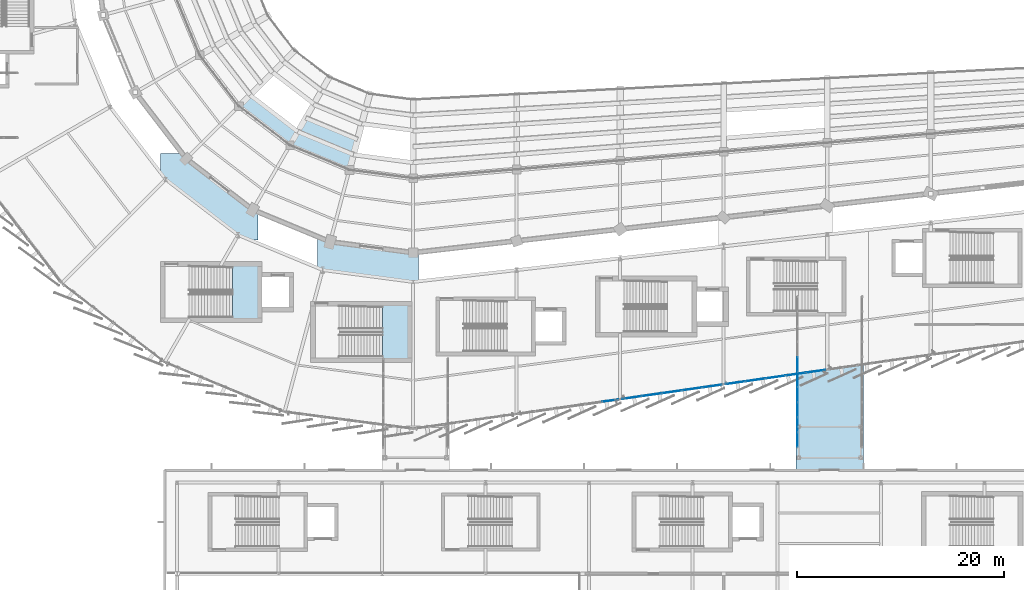
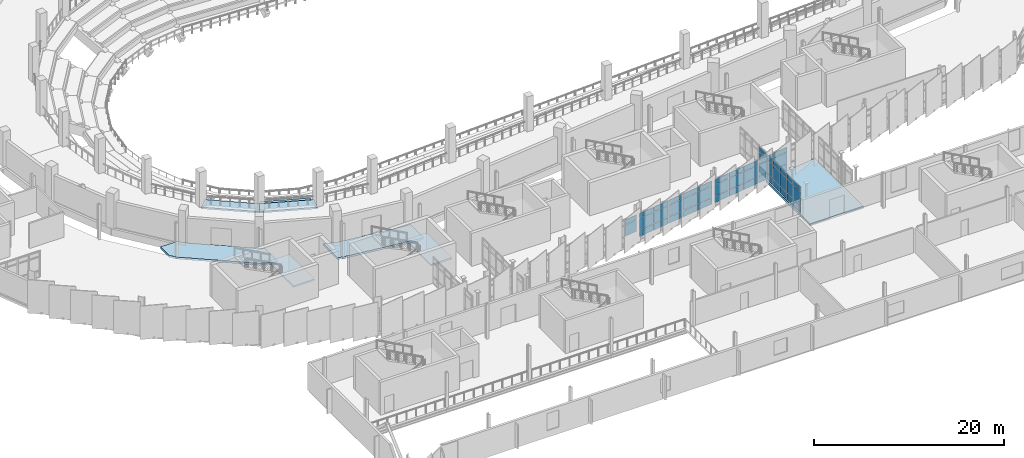
# One storey, part 87 of 134: 50 plates, 8 slabs, 6 elements without a shape of their own.
"""IFC4 building model written with IfcOpenShell, lengths in metres."""

from ifc_helpers import new_model, si_unit, direction, frame, origin, origin_2d, place, context, subcontext, project, spatial, polyline, rectangle, outline, extrude, material, layer, layer_set, type_object, element, aggregate, save


model = new_model("IFC4")

# Units and contexts
model_context = context("Model", 3, precision=1e-05, world=origin(), true_north=direction((0.0, 1.0)))
body_context = subcontext(model_context, "Body", "Model", "MODEL_VIEW")
ifc_project = project(units=[si_unit("LENGTHUNIT", "METRE"), si_unit("AREAUNIT", "SQUARE_METRE"), si_unit("VOLUMEUNIT", "CUBIC_METRE"), si_unit("PLANEANGLEUNIT", "RADIAN"), si_unit("MASSUNIT", "GRAM", prefix="KILO")], contexts=[model_context])

# Site, building, storey
site_placement = place(None, origin())
site = spatial("IfcSite", under=ifc_project, at=site_placement, CompositionType="ELEMENT")
building_placement = place(site_placement, origin())
building = spatial("IfcBuilding", under=site, at=building_placement, Name="Sohan Crest Arena", CompositionType="ELEMENT")
storey_placement = place(building_placement, frame((0.0, 0.0, 4.5)))
storey = spatial("IfcBuildingStorey", under=building, at=storey_placement, Name="L01", CompositionType="ELEMENT", Elevation=4.5)

# Curtain wall, plates
ifc_material_1 = material(Name="Thermally broken anodised aluminium", Category="aluminium")
ifc_layer_1 = layer(ifc_material_1, 0.18994140625, Name="Thermally broken anodised aluminium")
ifc_layer_set_1 = layer_set([ifc_layer_1], Name="Thermally broken anodised aluminium")
curtain_wall_type_1 = type_object("IfcCurtainWallType", Name="ARC-CW05", PredefinedType="NOTDEFINED", material=ifc_layer_set_1)
curtain_wall_1_placement = place(storey_placement, origin())
curtain_wall_1 = element("IfcCurtainWall", 1, at=curtain_wall_1_placement, inside=storey, type_object=curtain_wall_type_1, Name="Unitised curtain wall CW-255", PredefinedType="NOTDEFINED")
ifc_material_2 = material(Name="Low-E double-glazed insulated glass", Category="glass")
ifc_layer_2 = layer(ifc_material_2, 0.028076171875, Name="Low-E double-glazed insulated glass")
ifc_layer_set_2 = layer_set([ifc_layer_2], Name="Low-E double-glazed insulated glass")
plate_type_1 = type_object("IfcPlateType", Name="ARC-CNP01", PredefinedType="CURTAIN_PANEL", material=ifc_layer_set_2)
plate_1_placement = place(storey_placement, frame((135.1201171875, 28.9462890625, 0.06005859375), z_axis=(0.0, 0.0, 1.0), x_axis=(0.0, 1.0, 0.0)))
plate_1 = element("IfcPlate", 2, at=plate_1_placement, type_object=plate_type_1, Name="CW-255 panel 1.1", PredefinedType="CURTAIN_PANEL", context=body_context, shape_type="SweptSolid", body=[
    extrude(rectangle(XDim=1.362548828125, YDim=0.028076171875, at=origin_2d()), origin(), (0.0, 0.0, 1.0), 0.81005859375),
])
plate_2_placement = place(storey_placement, frame((135.1201171875, 28.9462890625, 0.93017578125), z_axis=(0.0, 0.0, 1.0), x_axis=(0.0, 1.0, 0.0)))
plate_2 = element("IfcPlate", 3, at=plate_2_placement, type_object=plate_type_1, Name="CW-255 panel 1.2", PredefinedType="CURTAIN_PANEL", context=body_context, shape_type="SweptSolid", body=[
    extrude(rectangle(XDim=1.362548828125, YDim=0.028076171875, at=origin_2d()), origin(), (0.0, 0.0, 1.0), 1.739990234375),
])
plate_3_placement = place(storey_placement, frame((135.1201171875, 28.9462890625, 2.72998046875), z_axis=(0.0, 0.0, 1.0), x_axis=(0.0, 1.0, 0.0)))
plate_3 = element("IfcPlate", 4, at=plate_3_placement, type_object=plate_type_1, Name="CW-255 panel 1.3", PredefinedType="CURTAIN_PANEL", context=body_context, shape_type="SweptSolid", body=[
    extrude(rectangle(XDim=1.362548828125, YDim=0.028076171875, at=origin_2d()), origin(), (0.0, 0.0, 1.0), 0.610107421875),
])
plate_4_placement = place(storey_placement, frame((135.1201171875, 30.389892578125, 0.06005859375), z_axis=(0.0, 0.0, 1.0), x_axis=(0.0, 1.0, 0.0)))
plate_4 = element("IfcPlate", 5, at=plate_4_placement, type_object=plate_type_1, Name="CW-255 panel 2.1", PredefinedType="CURTAIN_PANEL", context=body_context, shape_type="SweptSolid", body=[
    extrude(rectangle(XDim=1.39501953125, YDim=0.028076171875, at=origin_2d()), origin(), (0.0, 0.0, 1.0), 0.81005859375),
])
plate_5_placement = place(storey_placement, frame((135.1201171875, 30.389892578125, 0.93017578125), z_axis=(0.0, 0.0, 1.0), x_axis=(0.0, 1.0, 0.0)))
plate_5 = element("IfcPlate", 6, at=plate_5_placement, type_object=plate_type_1, Name="CW-255 panel 2.2", PredefinedType="CURTAIN_PANEL", context=body_context, shape_type="SweptSolid", body=[
    extrude(rectangle(XDim=1.39501953125, YDim=0.028076171875, at=origin_2d()), origin(), (0.0, 0.0, 1.0), 1.739990234375),
])
plate_6_placement = place(storey_placement, frame((135.1201171875, 30.389892578125, 2.72998046875), z_axis=(0.0, 0.0, 1.0), x_axis=(0.0, 1.0, 0.0)))
plate_6 = element("IfcPlate", 7, at=plate_6_placement, type_object=plate_type_1, Name="CW-255 panel 2.3", PredefinedType="CURTAIN_PANEL", context=body_context, shape_type="SweptSolid", body=[
    extrude(rectangle(XDim=1.39501953125, YDim=0.028076171875, at=origin_2d()), origin(), (0.0, 0.0, 1.0), 0.610107421875),
])
plate_7_placement = place(storey_placement, frame((135.1201171875, 31.85009765625, 0.06005859375), z_axis=(0.0, 0.0, 1.0), x_axis=(0.0, 1.0, 0.0)))
plate_7 = element("IfcPlate", 8, at=plate_7_placement, type_object=plate_type_1, Name="CW-255 panel 3.1", PredefinedType="CURTAIN_PANEL", context=body_context, shape_type="SweptSolid", body=[
    extrude(rectangle(XDim=1.39501953125, YDim=0.028076171875, at=origin_2d()), origin(), (0.0, 0.0, 1.0), 0.81005859375),
])
plate_8_placement = place(storey_placement, frame((135.1201171875, 31.85009765625, 0.93017578125), z_axis=(0.0, 0.0, 1.0), x_axis=(0.0, 1.0, 0.0)))
plate_8 = element("IfcPlate", 9, at=plate_8_placement, type_object=plate_type_1, Name="CW-255 panel 3.2", PredefinedType="CURTAIN_PANEL", context=body_context, shape_type="SweptSolid", body=[
    extrude(rectangle(XDim=1.39501953125, YDim=0.028076171875, at=origin_2d()), origin(), (0.0, 0.0, 1.0), 1.739990234375),
])
plate_9_placement = place(storey_placement, frame((135.1201171875, 31.85009765625, 2.72998046875), z_axis=(0.0, 0.0, 1.0), x_axis=(0.0, 1.0, 0.0)))
plate_9 = element("IfcPlate", 10, at=plate_9_placement, type_object=plate_type_1, Name="CW-255 panel 3.3", PredefinedType="CURTAIN_PANEL", context=body_context, shape_type="SweptSolid", body=[
    extrude(rectangle(XDim=1.39501953125, YDim=0.028076171875, at=origin_2d()), origin(), (0.0, 0.0, 1.0), 0.610107421875),
])
plate_10_placement = place(storey_placement, frame((135.1201171875, 33.31005859375, 0.06005859375), z_axis=(0.0, 0.0, 1.0), x_axis=(0.0, 1.0, 0.0)))
plate_10 = element("IfcPlate", 11, at=plate_10_placement, type_object=plate_type_1, Name="CW-255 panel 4.1", PredefinedType="CURTAIN_PANEL", context=body_context, shape_type="SweptSolid", body=[
    extrude(rectangle(XDim=1.39501953125, YDim=0.028076171875, at=origin_2d()), origin(), (0.0, 0.0, 1.0), 0.81005859375),
])
plate_11_placement = place(storey_placement, frame((135.1201171875, 33.31005859375, 0.93017578125), z_axis=(0.0, 0.0, 1.0), x_axis=(0.0, 1.0, 0.0)))
plate_11 = element("IfcPlate", 12, at=plate_11_placement, type_object=plate_type_1, Name="CW-255 panel 4.2", PredefinedType="CURTAIN_PANEL", context=body_context, shape_type="SweptSolid", body=[
    extrude(rectangle(XDim=1.39501953125, YDim=0.028076171875, at=origin_2d()), origin(), (0.0, 0.0, 1.0), 1.739990234375),
])
plate_12_placement = place(storey_placement, frame((135.1201171875, 33.31005859375, 2.72998046875), z_axis=(0.0, 0.0, 1.0), x_axis=(0.0, 1.0, 0.0)))
plate_12 = element("IfcPlate", 13, at=plate_12_placement, type_object=plate_type_1, Name="CW-255 panel 4.3", PredefinedType="CURTAIN_PANEL", context=body_context, shape_type="SweptSolid", body=[
    extrude(rectangle(XDim=1.39501953125, YDim=0.028076171875, at=origin_2d()), origin(), (0.0, 0.0, 1.0), 0.610107421875),
])
plate_13_placement = place(storey_placement, frame((135.1201171875, 34.77001953125, 0.06005859375), z_axis=(0.0, 0.0, 1.0), x_axis=(0.0, 1.0, 0.0)))
plate_13 = element("IfcPlate", 14, at=plate_13_placement, type_object=plate_type_1, Name="CW-255 panel 5.1", PredefinedType="CURTAIN_PANEL", context=body_context, shape_type="SweptSolid", body=[
    extrude(rectangle(XDim=1.39501953125, YDim=0.028076171875, at=origin_2d()), origin(), (0.0, 0.0, 1.0), 0.81005859375),
])
plate_14_placement = place(storey_placement, frame((135.1201171875, 34.77001953125, 0.93017578125), z_axis=(0.0, 0.0, 1.0), x_axis=(0.0, 1.0, 0.0)))
plate_14 = element("IfcPlate", 15, at=plate_14_placement, type_object=plate_type_1, Name="CW-255 panel 5.2", PredefinedType="CURTAIN_PANEL", context=body_context, shape_type="SweptSolid", body=[
    extrude(rectangle(XDim=1.39501953125, YDim=0.028076171875, at=origin_2d()), origin(), (0.0, 0.0, 1.0), 1.739990234375),
])
plate_15_placement = place(storey_placement, frame((135.1201171875, 34.77001953125, 2.72998046875), z_axis=(0.0, 0.0, 1.0), x_axis=(0.0, 1.0, 0.0)))
plate_15 = element("IfcPlate", 16, at=plate_15_placement, type_object=plate_type_1, Name="CW-255 panel 5.3", PredefinedType="CURTAIN_PANEL", context=body_context, shape_type="SweptSolid", body=[
    extrude(rectangle(XDim=1.39501953125, YDim=0.028076171875, at=origin_2d()), origin(), (0.0, 0.0, 1.0), 0.610107421875),
])
plate_16_placement = place(storey_placement, frame((135.1201171875, 36.22998046875, 0.06005859375), z_axis=(0.0, 0.0, 1.0), x_axis=(0.0, 1.0, 0.0)))
plate_16 = element("IfcPlate", 17, at=plate_16_placement, type_object=plate_type_1, Name="CW-255 panel 6.1", PredefinedType="CURTAIN_PANEL", context=body_context, shape_type="SweptSolid", body=[
    extrude(rectangle(XDim=1.39501953125, YDim=0.028076171875, at=origin_2d()), origin(), (0.0, 0.0, 1.0), 0.81005859375),
])
plate_17_placement = place(storey_placement, frame((135.1201171875, 36.22998046875, 0.93017578125), z_axis=(0.0, 0.0, 1.0), x_axis=(0.0, 1.0, 0.0)))
plate_17 = element("IfcPlate", 18, at=plate_17_placement, type_object=plate_type_1, Name="CW-255 panel 6.2", PredefinedType="CURTAIN_PANEL", context=body_context, shape_type="SweptSolid", body=[
    extrude(rectangle(XDim=1.39501953125, YDim=0.028076171875, at=origin_2d()), origin(), (0.0, 0.0, 1.0), 1.739990234375),
])
plate_18_placement = place(storey_placement, frame((135.1201171875, 36.22998046875, 2.72998046875), z_axis=(0.0, 0.0, 1.0), x_axis=(0.0, 1.0, 0.0)))
plate_18 = element("IfcPlate", 19, at=plate_18_placement, type_object=plate_type_1, Name="CW-255 panel 6.3", PredefinedType="CURTAIN_PANEL", context=body_context, shape_type="SweptSolid", body=[
    extrude(rectangle(XDim=1.39501953125, YDim=0.028076171875, at=origin_2d()), origin(), (0.0, 0.0, 1.0), 0.610107421875),
])
aggregate(curtain_wall_1, [plate_1, plate_2, plate_3, plate_4, plate_5, plate_6, plate_7, plate_8, plate_9, plate_10, plate_11, plate_12, plate_13, plate_14, plate_15, plate_16, plate_17, plate_18])

ifc_layer_3 = layer(ifc_material_1, 0.199951171875, Name="Thermally broken anodised aluminium")
ifc_layer_set_3 = layer_set([ifc_layer_3], Name="Thermally broken anodised aluminium")
curtain_wall_type_2 = type_object("IfcCurtainWallType", Name="ARC-CW02", PredefinedType="NOTDEFINED", material=ifc_layer_set_3)
curtain_wall_2_placement = place(storey_placement, origin())
curtain_wall_2 = element("IfcCurtainWall", 20, at=curtain_wall_2_placement, inside=storey, type_object=curtain_wall_type_2, Name="Unitised curtain wall CW-031", PredefinedType="NOTDEFINED")
ifc_layer_4 = layer(ifc_material_2, 0.031982421875, Name="Low-E double-glazed insulated glass")
ifc_layer_set_4 = layer_set([ifc_layer_4], Name="Low-E double-glazed insulated glass")
plate_type_2 = type_object("IfcPlateType", Name="ARC-CNP02", PredefinedType="CURTAIN_PANEL", material=ifc_layer_set_4)
plate_19_placement = place(storey_placement, frame((117.04296875, 32.720703125, 0.932373046875), z_axis=(0.0, 0.0, 1.0), x_axis=(0.989945428602, 0.141449808729, 0.0)))
plate_19 = element("IfcPlate", 21, at=plate_19_placement, type_object=plate_type_2, Name="CW-031 panel 6.2", PredefinedType="CURTAIN_PANEL", context=body_context, shape_type="SweptSolid", body=[
    extrude(rectangle(XDim=1.542724609375, YDim=0.031982421875, at=origin_2d()), origin(), (0.0, 0.0, 1.0), 1.455078125),
])
plate_20_placement = place(storey_placement, frame((117.04296875, 32.720703125, 2.452392578125), z_axis=(0.0, 0.0, 1.0), x_axis=(0.989945428602, 0.141449808729, 0.0)))
plate_20 = element("IfcPlate", 22, at=plate_20_placement, type_object=plate_type_2, Name="CW-031 panel 6.3", PredefinedType="CURTAIN_PANEL", context=body_context, shape_type="SweptSolid", body=[
    extrude(rectangle(XDim=1.542724609375, YDim=0.031982421875, at=origin_2d()), origin(), (0.0, 0.0, 1.0), 0.6025390625),
])
aggregate(curtain_wall_2, [plate_19, plate_20])

ifc_layer_5 = layer(ifc_material_1, 0.219970703125, Name="Thermally broken anodised aluminium")
ifc_layer_set_5 = layer_set([ifc_layer_5], Name="Thermally broken anodised aluminium")
curtain_wall_type_3 = type_object("IfcCurtainWallType", Name="ARC-CW03", PredefinedType="NOTDEFINED", material=ifc_layer_set_5)
curtain_wall_3_placement = place(storey_placement, origin())
curtain_wall_3 = element("IfcCurtainWall", 23, at=curtain_wall_3_placement, inside=storey, type_object=curtain_wall_type_3, Name="Unitised curtain wall CW-032", PredefinedType="NOTDEFINED")
ifc_material_3 = material(Name="Ceramic-fritted solar-control insulated glass", Category="glass")
ifc_layer_6 = layer(ifc_material_3, 0.035888671875, Name="Ceramic-fritted solar-control insulated glass")
ifc_layer_set_6 = layer_set([ifc_layer_6], Name="Ceramic-fritted solar-control insulated glass")
plate_type_3 = type_object("IfcPlateType", Name="ARC-CNP03", PredefinedType="CURTAIN_PANEL", material=ifc_layer_set_6)
plate_21_placement = place(storey_placement, frame((119.12060546875, 33.016845703125, 0.070068359375), z_axis=(0.0, 0.0, 1.0), x_axis=(0.989931194722, 0.141549389674, 0.0)))
plate_21 = element("IfcPlate", 24, at=plate_21_placement, type_object=plate_type_3, Name="CW-032 panel 1.1", PredefinedType="CURTAIN_PANEL", context=body_context, shape_type="SweptSolid", body=[
    extrude(rectangle(XDim=1.86328125, YDim=0.035888671875, at=origin_2d()), origin(), (0.0, 0.0, 1.0), 0.794921875),
])
plate_22_placement = place(storey_placement, frame((119.12060546875, 33.016845703125, 0.93505859375), z_axis=(0.0, 0.0, 1.0), x_axis=(0.989931194722, 0.141549389674, 0.0)))
plate_22 = element("IfcPlate", 25, at=plate_22_placement, type_object=plate_type_3, Name="CW-032 panel 1.2", PredefinedType="CURTAIN_PANEL", context=body_context, shape_type="SweptSolid", body=[
    extrude(rectangle(XDim=1.86328125, YDim=0.035888671875, at=origin_2d()), origin(), (0.0, 0.0, 1.0), 1.449951171875),
])
plate_23_placement = place(storey_placement, frame((119.12060546875, 33.016845703125, 2.455078125), z_axis=(0.0, 0.0, 1.0), x_axis=(0.989931194722, 0.141549389674, 0.0)))
plate_23 = element("IfcPlate", 26, at=plate_23_placement, type_object=plate_type_3, Name="CW-032 panel 1.3", PredefinedType="CURTAIN_PANEL", context=body_context, shape_type="SweptSolid", body=[
    extrude(rectangle(XDim=1.86328125, YDim=0.035888671875, at=origin_2d()), origin(), (0.0, 0.0, 1.0), 0.594970703125),
])
plate_24_placement = place(storey_placement, frame((121.051513671875, 33.29296875, 0.070068359375), z_axis=(0.0, 0.0, 1.0), x_axis=(0.989931194722, 0.141549389674, 0.0)))
plate_24 = element("IfcPlate", 27, at=plate_24_placement, type_object=plate_type_3, Name="CW-032 panel 2.1", PredefinedType="CURTAIN_PANEL", context=body_context, shape_type="SweptSolid", body=[
    extrude(rectangle(XDim=1.898193359375, YDim=0.035888671875, at=origin_2d()), origin(), (0.0, 0.0, 1.0), 0.794921875),
])
plate_25_placement = place(storey_placement, frame((121.051513671875, 33.29296875, 0.93505859375), z_axis=(0.0, 0.0, 1.0), x_axis=(0.989931194722, 0.141549389674, 0.0)))
plate_25 = element("IfcPlate", 28, at=plate_25_placement, type_object=plate_type_3, Name="CW-032 panel 2.2", PredefinedType="CURTAIN_PANEL", context=body_context, shape_type="SweptSolid", body=[
    extrude(rectangle(XDim=1.898193359375, YDim=0.035888671875, at=origin_2d()), origin(), (0.0, 0.0, 1.0), 1.449951171875),
])
plate_26_placement = place(storey_placement, frame((121.051513671875, 33.29296875, 2.455078125), z_axis=(0.0, 0.0, 1.0), x_axis=(0.989931194722, 0.141549389674, 0.0)))
plate_26 = element("IfcPlate", 29, at=plate_26_placement, type_object=plate_type_3, Name="CW-032 panel 2.3", PredefinedType="CURTAIN_PANEL", context=body_context, shape_type="SweptSolid", body=[
    extrude(rectangle(XDim=1.898193359375, YDim=0.035888671875, at=origin_2d()), origin(), (0.0, 0.0, 1.0), 0.594970703125),
])
plate_27_placement = place(storey_placement, frame((123.0, 33.571533203125, 0.070068359375), z_axis=(0.0, 0.0, 1.0), x_axis=(0.989931194722, 0.141549389674, 0.0)))
plate_27 = element("IfcPlate", 30, at=plate_27_placement, type_object=plate_type_3, Name="CW-032 panel 3.1", PredefinedType="CURTAIN_PANEL", context=body_context, shape_type="SweptSolid", body=[
    extrude(rectangle(XDim=1.898193359375, YDim=0.035888671875, at=origin_2d()), origin(), (0.0, 0.0, 1.0), 0.794921875),
])
plate_28_placement = place(storey_placement, frame((123.0, 33.571533203125, 0.93505859375), z_axis=(0.0, 0.0, 1.0), x_axis=(0.989931194722, 0.141549389674, 0.0)))
plate_28 = element("IfcPlate", 31, at=plate_28_placement, type_object=plate_type_3, Name="CW-032 panel 3.2", PredefinedType="CURTAIN_PANEL", context=body_context, shape_type="SweptSolid", body=[
    extrude(rectangle(XDim=1.898193359375, YDim=0.035888671875, at=origin_2d()), origin(), (0.0, 0.0, 1.0), 1.449951171875),
])
plate_29_placement = place(storey_placement, frame((123.0, 33.571533203125, 2.455078125), z_axis=(0.0, 0.0, 1.0), x_axis=(0.989931194722, 0.141549389674, 0.0)))
plate_29 = element("IfcPlate", 32, at=plate_29_placement, type_object=plate_type_3, Name="CW-032 panel 3.3", PredefinedType="CURTAIN_PANEL", context=body_context, shape_type="SweptSolid", body=[
    extrude(rectangle(XDim=1.898193359375, YDim=0.035888671875, at=origin_2d()), origin(), (0.0, 0.0, 1.0), 0.594970703125),
])
plate_30_placement = place(storey_placement, frame((124.948486328125, 33.85009765625, 0.070068359375), z_axis=(0.0, 0.0, 1.0), x_axis=(0.989931194722, 0.141549389674, 0.0)))
plate_30 = element("IfcPlate", 33, at=plate_30_placement, type_object=plate_type_3, Name="CW-032 panel 4.1", PredefinedType="CURTAIN_PANEL", context=body_context, shape_type="SweptSolid", body=[
    extrude(rectangle(XDim=1.898193359375, YDim=0.035888671875, at=origin_2d()), origin(), (0.0, 0.0, 1.0), 0.794921875),
])
plate_31_placement = place(storey_placement, frame((124.948486328125, 33.85009765625, 0.93505859375), z_axis=(0.0, 0.0, 1.0), x_axis=(0.989931194722, 0.141549389674, 0.0)))
plate_31 = element("IfcPlate", 34, at=plate_31_placement, type_object=plate_type_3, Name="CW-032 panel 4.2", PredefinedType="CURTAIN_PANEL", context=body_context, shape_type="SweptSolid", body=[
    extrude(rectangle(XDim=1.898193359375, YDim=0.035888671875, at=origin_2d()), origin(), (0.0, 0.0, 1.0), 1.449951171875),
])
plate_32_placement = place(storey_placement, frame((124.948486328125, 33.85009765625, 2.455078125), z_axis=(0.0, 0.0, 1.0), x_axis=(0.989931194722, 0.141549389674, 0.0)))
plate_32 = element("IfcPlate", 35, at=plate_32_placement, type_object=plate_type_3, Name="CW-032 panel 4.3", PredefinedType="CURTAIN_PANEL", context=body_context, shape_type="SweptSolid", body=[
    extrude(rectangle(XDim=1.898193359375, YDim=0.035888671875, at=origin_2d()), origin(), (0.0, 0.0, 1.0), 0.594970703125),
])
plate_33_placement = place(storey_placement, frame((126.87939453125, 34.126220703125, 0.070068359375), z_axis=(0.0, 0.0, 1.0), x_axis=(0.989931194722, 0.141549389674, 0.0)))
plate_33 = element("IfcPlate", 36, at=plate_33_placement, type_object=plate_type_3, Name="CW-032 panel 5.1", PredefinedType="CURTAIN_PANEL", context=body_context, shape_type="SweptSolid", body=[
    extrude(rectangle(XDim=1.86328125, YDim=0.035888671875, at=origin_2d()), origin(), (0.0, 0.0, 1.0), 0.794921875),
])
plate_34_placement = place(storey_placement, frame((126.87939453125, 34.126220703125, 0.93505859375), z_axis=(0.0, 0.0, 1.0), x_axis=(0.989931194722, 0.141549389674, 0.0)))
plate_34 = element("IfcPlate", 37, at=plate_34_placement, type_object=plate_type_3, Name="CW-032 panel 5.2", PredefinedType="CURTAIN_PANEL", context=body_context, shape_type="SweptSolid", body=[
    extrude(rectangle(XDim=1.86328125, YDim=0.035888671875, at=origin_2d()), origin(), (0.0, 0.0, 1.0), 1.449951171875),
])
plate_35_placement = place(storey_placement, frame((126.87939453125, 34.126220703125, 2.455078125), z_axis=(0.0, 0.0, 1.0), x_axis=(0.989931194722, 0.141549389674, 0.0)))
plate_35 = element("IfcPlate", 38, at=plate_35_placement, type_object=plate_type_3, Name="CW-032 panel 5.3", PredefinedType="CURTAIN_PANEL", context=body_context, shape_type="SweptSolid", body=[
    extrude(rectangle(XDim=1.86328125, YDim=0.035888671875, at=origin_2d()), origin(), (0.0, 0.0, 1.0), 0.594970703125),
])
aggregate(curtain_wall_3, [plate_21, plate_22, plate_23, plate_24, plate_25, plate_26, plate_27, plate_28, plate_29, plate_30, plate_31, plate_32, plate_33, plate_34, plate_35])

ifc_layer_7 = layer(ifc_material_1, 0.239990234375, Name="Thermally broken anodised aluminium")
ifc_layer_set_7 = layer_set([ifc_layer_7], Name="Thermally broken anodised aluminium")
curtain_wall_type_4 = type_object("IfcCurtainWallType", Name="ARC-CW04", PredefinedType="NOTDEFINED", material=ifc_layer_set_7)
curtain_wall_4_placement = place(storey_placement, origin())
curtain_wall_4 = element("IfcCurtainWall", 39, at=curtain_wall_4_placement, inside=storey, type_object=curtain_wall_type_4, Name="Unitised curtain wall CW-033", PredefinedType="NOTDEFINED")
ifc_material_4 = material(Name="Insulated polychrome ceramic spandrel panel", Category="masonry")
ifc_layer_8 = layer(ifc_material_4, 0.0419921875, Name="Insulated polychrome ceramic spandrel panel")
ifc_layer_set_8 = layer_set([ifc_layer_8], Name="Insulated polychrome ceramic spandrel panel")
plate_type_4 = type_object("IfcPlateType", Name="ARC-CNP04", PredefinedType="CURTAIN_PANEL", material=ifc_layer_set_8)
plate_36_placement = place(storey_placement, frame((129.121826171875, 34.44580078125, 0.06005859375), z_axis=(0.0, 0.0, 1.0), x_axis=(0.989945428602, 0.141449808729, 0.0)))
plate_36 = element("IfcPlate", 40, at=plate_36_placement, type_object=plate_type_4, Name="CW-033 panel 1.1", PredefinedType="CURTAIN_PANEL", context=body_context, shape_type="SweptSolid", body=[
    extrude(rectangle(XDim=1.855712890625, YDim=0.0419921875, at=origin_2d()), origin(), (0.0, 0.0, 1.0), 0.81005859375),
])
plate_37_placement = place(storey_placement, frame((129.121826171875, 34.44580078125, 0.929931640625), z_axis=(0.0, 0.0, 1.0), x_axis=(0.989945428602, 0.141449808729, 0.0)))
plate_37 = element("IfcPlate", 41, at=plate_37_placement, type_object=plate_type_4, Name="CW-033 panel 1.2", PredefinedType="CURTAIN_PANEL", context=body_context, shape_type="SweptSolid", body=[
    extrude(rectangle(XDim=1.855712890625, YDim=0.0419921875, at=origin_2d()), origin(), (0.0, 0.0, 1.0), 1.4599609375),
])
plate_38_placement = place(storey_placement, frame((129.121826171875, 34.44580078125, 2.44970703125), z_axis=(0.0, 0.0, 1.0), x_axis=(0.989945428602, 0.141449808729, 0.0)))
plate_38 = element("IfcPlate", 42, at=plate_38_placement, type_object=plate_type_4, Name="CW-033 panel 1.3", PredefinedType="CURTAIN_PANEL", context=body_context, shape_type="SweptSolid", body=[
    extrude(rectangle(XDim=1.855712890625, YDim=0.0419921875, at=origin_2d()), origin(), (0.0, 0.0, 1.0), 0.610107421875),
])
plate_39_placement = place(storey_placement, frame((131.051513671875, 34.7216796875, 0.06005859375), z_axis=(0.0, 0.0, 1.0), x_axis=(0.989945428602, 0.141449808729, 0.0)))
plate_39 = element("IfcPlate", 43, at=plate_39_placement, type_object=plate_type_4, Name="CW-033 panel 2.1", PredefinedType="CURTAIN_PANEL", context=body_context, shape_type="SweptSolid", body=[
    extrude(rectangle(XDim=1.893310546875, YDim=0.0419921875, at=origin_2d()), origin(), (0.0, 0.0, 1.0), 0.81005859375),
])
plate_40_placement = place(storey_placement, frame((131.051513671875, 34.7216796875, 0.929931640625), z_axis=(0.0, 0.0, 1.0), x_axis=(0.989945428602, 0.141449808729, 0.0)))
plate_40 = element("IfcPlate", 44, at=plate_40_placement, type_object=plate_type_4, Name="CW-033 panel 2.2", PredefinedType="CURTAIN_PANEL", context=body_context, shape_type="SweptSolid", body=[
    extrude(rectangle(XDim=1.893310546875, YDim=0.0419921875, at=origin_2d()), origin(), (0.0, 0.0, 1.0), 1.4599609375),
])
plate_41_placement = place(storey_placement, frame((131.051513671875, 34.7216796875, 2.44970703125), z_axis=(0.0, 0.0, 1.0), x_axis=(0.989945428602, 0.141449808729, 0.0)))
plate_41 = element("IfcPlate", 45, at=plate_41_placement, type_object=plate_type_4, Name="CW-033 panel 2.3", PredefinedType="CURTAIN_PANEL", context=body_context, shape_type="SweptSolid", body=[
    extrude(rectangle(XDim=1.893310546875, YDim=0.0419921875, at=origin_2d()), origin(), (0.0, 0.0, 1.0), 0.610107421875),
])
plate_42_placement = place(storey_placement, frame((133.0, 35.0, 0.06005859375), z_axis=(0.0, 0.0, 1.0), x_axis=(0.989945428602, 0.141449808729, 0.0)))
plate_42 = element("IfcPlate", 46, at=plate_42_placement, type_object=plate_type_4, Name="CW-033 panel 3.1", PredefinedType="CURTAIN_PANEL", context=body_context, shape_type="SweptSolid", body=[
    extrude(rectangle(XDim=1.893310546875, YDim=0.0419921875, at=origin_2d()), origin(), (0.0, 0.0, 1.0), 0.81005859375),
])
plate_43_placement = place(storey_placement, frame((133.0, 35.0, 0.929931640625), z_axis=(0.0, 0.0, 1.0), x_axis=(0.989945428602, 0.141449808729, 0.0)))
plate_43 = element("IfcPlate", 47, at=plate_43_placement, type_object=plate_type_4, Name="CW-033 panel 3.2", PredefinedType="CURTAIN_PANEL", context=body_context, shape_type="SweptSolid", body=[
    extrude(rectangle(XDim=1.893310546875, YDim=0.0419921875, at=origin_2d()), origin(), (0.0, 0.0, 1.0), 1.4599609375),
])
plate_44_placement = place(storey_placement, frame((133.0, 35.0, 2.44970703125), z_axis=(0.0, 0.0, 1.0), x_axis=(0.989945428602, 0.141449808729, 0.0)))
plate_44 = element("IfcPlate", 48, at=plate_44_placement, type_object=plate_type_4, Name="CW-033 panel 3.3", PredefinedType="CURTAIN_PANEL", context=body_context, shape_type="SweptSolid", body=[
    extrude(rectangle(XDim=1.893310546875, YDim=0.0419921875, at=origin_2d()), origin(), (0.0, 0.0, 1.0), 0.610107421875),
])
plate_45_placement = place(storey_placement, frame((134.948486328125, 35.2783203125, 0.06005859375), z_axis=(0.0, 0.0, 1.0), x_axis=(0.989945428602, 0.141449808729, 0.0)))
plate_45 = element("IfcPlate", 49, at=plate_45_placement, type_object=plate_type_4, Name="CW-033 panel 4.1", PredefinedType="CURTAIN_PANEL", context=body_context, shape_type="SweptSolid", body=[
    extrude(rectangle(XDim=1.893310546875, YDim=0.0419921875, at=origin_2d()), origin(), (0.0, 0.0, 1.0), 0.81005859375),
])
plate_46_placement = place(storey_placement, frame((134.948486328125, 35.2783203125, 0.929931640625), z_axis=(0.0, 0.0, 1.0), x_axis=(0.989945428602, 0.141449808729, 0.0)))
plate_46 = element("IfcPlate", 50, at=plate_46_placement, type_object=plate_type_4, Name="CW-033 panel 4.2", PredefinedType="CURTAIN_PANEL", context=body_context, shape_type="SweptSolid", body=[
    extrude(rectangle(XDim=1.893310546875, YDim=0.0419921875, at=origin_2d()), origin(), (0.0, 0.0, 1.0), 1.4599609375),
])
plate_47_placement = place(storey_placement, frame((134.948486328125, 35.2783203125, 2.44970703125), z_axis=(0.0, 0.0, 1.0), x_axis=(0.989945428602, 0.141449808729, 0.0)))
plate_47 = element("IfcPlate", 51, at=plate_47_placement, type_object=plate_type_4, Name="CW-033 panel 4.3", PredefinedType="CURTAIN_PANEL", context=body_context, shape_type="SweptSolid", body=[
    extrude(rectangle(XDim=1.893310546875, YDim=0.0419921875, at=origin_2d()), origin(), (0.0, 0.0, 1.0), 0.610107421875),
])
plate_48_placement = place(storey_placement, frame((136.878173828125, 35.55419921875, 0.06005859375), z_axis=(0.0, 0.0, 1.0), x_axis=(0.989945428602, 0.141449808729, 0.0)))
plate_48 = element("IfcPlate", 52, at=plate_48_placement, type_object=plate_type_4, Name="CW-033 panel 5.1", PredefinedType="CURTAIN_PANEL", context=body_context, shape_type="SweptSolid", body=[
    extrude(rectangle(XDim=1.855712890625, YDim=0.0419921875, at=origin_2d()), origin(), (0.0, 0.0, 1.0), 0.81005859375),
])
plate_49_placement = place(storey_placement, frame((136.878173828125, 35.55419921875, 0.929931640625), z_axis=(0.0, 0.0, 1.0), x_axis=(0.989945428602, 0.141449808729, 0.0)))
plate_49 = element("IfcPlate", 53, at=plate_49_placement, type_object=plate_type_4, Name="CW-033 panel 5.2", PredefinedType="CURTAIN_PANEL", context=body_context, shape_type="SweptSolid", body=[
    extrude(rectangle(XDim=1.855712890625, YDim=0.0419921875, at=origin_2d()), origin(), (0.0, 0.0, 1.0), 1.4599609375),
])
plate_50_placement = place(storey_placement, frame((136.878173828125, 35.55419921875, 2.44970703125), z_axis=(0.0, 0.0, 1.0), x_axis=(0.989945428602, 0.141449808729, 0.0)))
plate_50 = element("IfcPlate", 54, at=plate_50_placement, type_object=plate_type_4, Name="CW-033 panel 5.3", PredefinedType="CURTAIN_PANEL", context=body_context, shape_type="SweptSolid", body=[
    extrude(rectangle(XDim=1.855712890625, YDim=0.0419921875, at=origin_2d()), origin(), (0.0, 0.0, 1.0), 0.610107421875),
])
aggregate(curtain_wall_4, [plate_36, plate_37, plate_38, plate_39, plate_40, plate_41, plate_42, plate_43, plate_44, plate_45, plate_46, plate_47, plate_48, plate_49, plate_50])

# Slabs
ifc_material_5 = material(Name="Concrete C40/50", Category="concrete")
ifc_layer_9 = layer(ifc_material_5, 0.25, Name="Concrete C40/50")
ifc_layer_set_9 = layer_set([ifc_layer_9], Name="Concrete C40/50")
slab_type_1 = type_object("IfcSlabType", Name="SL-FLR3", PredefinedType="FLOOR", material=ifc_layer_set_9)
slab_1_placement = place(storey_placement, frame((0.0, 0.0, -0.25)))
element("IfcSlab", 55, at=slab_1_placement, inside=storey, type_object=slab_type_1, Name="Seismic joint threshold slab L01 SL-TH-L01-09", PredefinedType="FLOOR", context=body_context, shape_type="SweptSolid", body=[
    extrude(outline(polyline([(81.10009765625, 48.72802734375), (74.10009765625, 54.10009765625), (73.60009765625, 54.751953125), (73.60009765625, 56.580078125), (75.696044921875, 56.580078125), (76.080078125, 56.080078125), (82.5, 51.153076171875), (83.0, 50.946044921875), (83.0, 48.22802734375), (82.306884765625, 48.22802734375), (81.10009765625, 48.72802734375)])), origin(), (0.0, 0.0, 1.0), 0.25),
])
slab_2_placement = place(storey_placement, frame((0.0, 0.0, -0.25)))
element("IfcSlab", 56, at=slab_2_placement, inside=storey, type_object=slab_type_1, Name="Seismic joint threshold slab L01 SL-TH-L01-11", PredefinedType="FLOOR", context=body_context, shape_type="SweptSolid", body=[
    extrude(outline(polyline([(98.0, 44.199951171875), (89.251953125, 45.35205078125), (88.751953125, 45.55908203125), (88.751953125, 48.555908203125), (88.77001953125, 48.555908203125), (89.97705078125, 48.055908203125), (98.0, 47.0), (98.5, 47.056884765625), (98.5, 44.257080078125), (98.0, 44.199951171875)])), origin(), (0.0, 0.0, 1.0), 0.25),
])
ifc_layer_10 = layer(ifc_material_5, 0.27490234375, Name="Concrete C40/50")
ifc_layer_set_10 = layer_set([ifc_layer_10], Name="Concrete C40/50")
slab_type_2 = type_object("IfcSlabType", Name="SL-FLR4", PredefinedType="FLOOR", material=ifc_layer_set_10)
slab_3_placement = place(storey_placement, frame((0.0, 0.0, -0.27490234375)))
element("IfcSlab", 57, at=slab_3_placement, inside=storey, type_object=slab_type_2, Name="Covered bridge BR-S2 L01 deck SL-BR-S2-L01", PredefinedType="FLOOR", context=body_context, shape_type="SweptSolid", body=[
    extrude(outline(polyline([(141.5, 26.0), (135.0, 26.0), (135.0, 35.285888671875), (141.5, 36.214111328125), (141.5, 26.0)])), origin(), (0.0, 0.0, 1.0), 0.27490234375),
])

# Stair, slab
stair_type_1 = type_object("IfcStairType", Name="ST-450", PredefinedType="TWO_STRAIGHT_RUN_STAIR", material=ifc_material_5)
stair_1_placement = place(storey_placement, origin())
stair_1 = element("IfcStair", 58, at=stair_1_placement, inside=storey, type_object=stair_type_1, Name="Protected exit stair ST03-L01", PredefinedType="TWO_STRAIGHT_RUN_STAIR")
ifc_layer_11 = layer(ifc_material_5, 0.199951171875, Name="Concrete C40/50")
ifc_layer_set_11 = layer_set([ifc_layer_11], Name="Concrete C40/50")
slab_type_3 = type_object("IfcSlabType", Name="SL-LND1", PredefinedType="LANDING", material=ifc_layer_set_11)
slab_4_placement = place(storey_placement, frame((0.0, 0.0, 2.050048828125)))
slab_4 = element("IfcSlab", 59, at=slab_4_placement, type_object=slab_type_3, Name="ST03-L01 landing 1", PredefinedType="LANDING", context=body_context, shape_type="SweptSolid", body=[
    extrude(outline(polyline([(80.530029296875, 40.550048828125), (83.10009765625, 40.550048828125), (83.10009765625, 45.85009765625), (80.530029296875, 45.85009765625), (80.530029296875, 40.550048828125)])), origin(), (0.0, 0.0, 1.0), 0.199951171875),
])
aggregate(stair_1, [slab_4])

stair_type_2 = type_object("IfcStairType", Name="ST-450W", PredefinedType="TWO_STRAIGHT_RUN_STAIR", material=ifc_material_5)
stair_2_placement = place(storey_placement, origin())
stair_2 = element("IfcStair", 60, at=stair_2_placement, inside=storey, type_object=stair_type_2, Name="Protected exit stair ST19-L01", PredefinedType="TWO_STRAIGHT_RUN_STAIR")
slab_5_placement = place(storey_placement, frame((0.0, 0.0, 2.050048828125)))
slab_5 = element("IfcSlab", 61, at=slab_5_placement, type_object=slab_type_3, Name="ST19-L01 landing 1", PredefinedType="LANDING", context=body_context, shape_type="SweptSolid", body=[
    extrude(outline(polyline([(95.030029296875, 36.7099609375), (97.60009765625, 36.7099609375), (97.60009765625, 42.010009765625), (95.030029296875, 42.010009765625), (95.030029296875, 36.7099609375)])), origin(), (0.0, 0.0, 1.0), 0.199951171875),
])
aggregate(stair_2, [slab_5])

# Slabs
ifc_material_6 = material(Name="Precast concrete C50/60", Category="concrete")
ifc_layer_12 = layer(ifc_material_6, 0.205078125, Name="Precast concrete C50/60")
ifc_layer_set_12 = layer_set([ifc_layer_12], Name="Precast concrete C50/60")
slab_type_4 = type_object("IfcSlabType", Name="SL-TIER2", PredefinedType="USERDEFINED", material=ifc_layer_set_12)
slab_6_placement = place(storey_placement, frame((0.0, 0.0, -0.5859375)))
element("IfcSlab", 62, at=slab_6_placement, inside=storey, type_object=slab_type_4, Name="Lower bowl precast seating tier ST-LOW-081", ObjectType="SEATING TIER", PredefinedType="USERDEFINED", context=body_context, shape_type="SweptSolid", body=[
    extrude(outline(polyline([(82.24609375, 62.24609375), (86.860107421875, 58.705078125), (86.1298828125, 57.44189453125), (81.214111328125, 61.214111328125), (82.24609375, 62.24609375)])), origin(), (0.0, 0.0, 1.0), 0.204833984375),
])
slab_7_placement = place(storey_placement, frame((0.0, 0.0, -1.406005859375)))
element("IfcSlab", 63, at=slab_7_placement, inside=storey, type_object=slab_type_4, Name="Lower bowl precast seating tier ST-LOW-086", ObjectType="SEATING TIER", PredefinedType="USERDEFINED", context=body_context, shape_type="SweptSolid", body=[
    extrude(outline(polyline([(87.6201171875, 60.02099609375), (92.626953125, 57.947021484375), (92.2490234375, 56.5380859375), (86.889892578125, 58.758056640625), (87.6201171875, 60.02099609375)])), origin(), (0.0, 0.0, 1.0), 0.205078125),
])
slab_8_placement = place(storey_placement, frame((0.0, 0.0, -0.5859375)))
element("IfcSlab", 64, at=slab_8_placement, inside=storey, type_object=slab_type_4, Name="Lower bowl precast seating tier ST-LOW-087", ObjectType="SEATING TIER", PredefinedType="USERDEFINED", context=body_context, shape_type="SweptSolid", body=[
    extrude(outline(polyline([(86.860107421875, 58.705078125), (92.23291015625, 56.47900390625), (91.85595703125, 55.070068359375), (86.1298828125, 57.44189453125), (86.860107421875, 58.705078125)])), origin(), (0.0, 0.0, 1.0), 0.204833984375),
])

save(model, "model.ifc")
